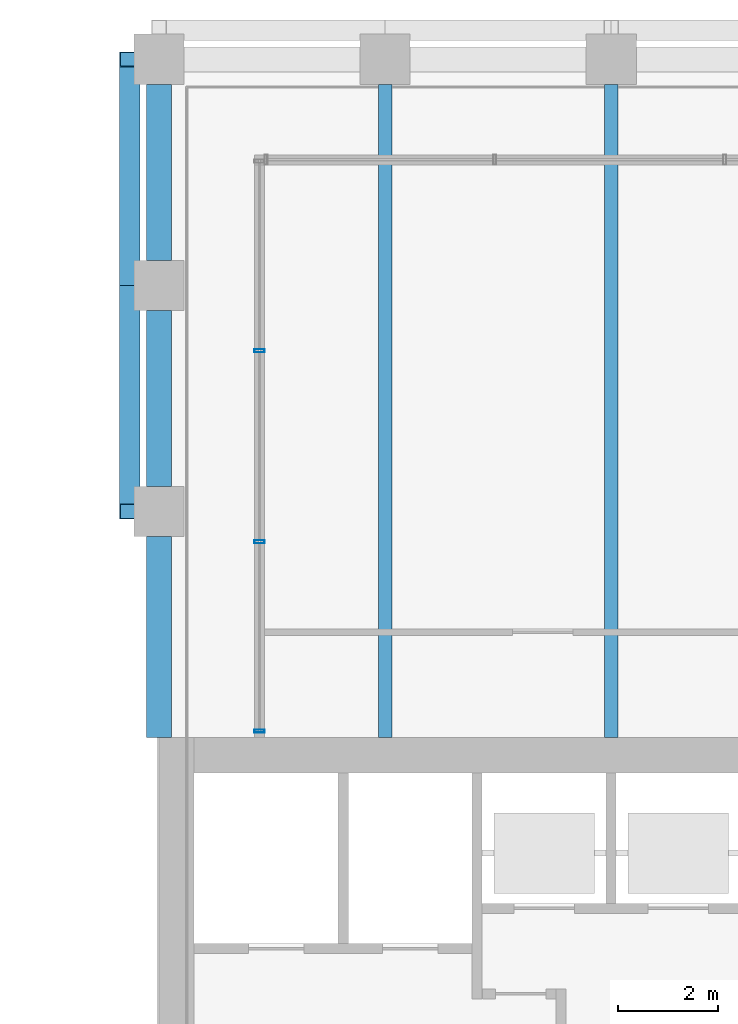
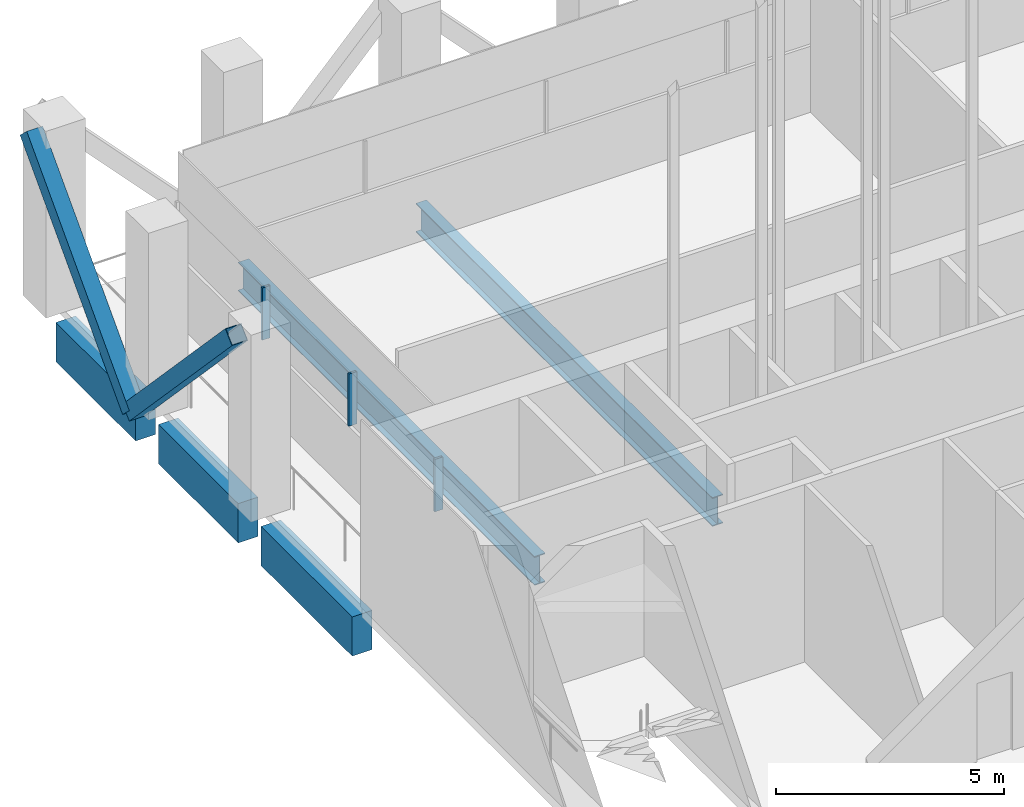
# One storey, part 15 of 48: 5 beams, 5 members, 1 element without a shape of its own.
"""IFC4 building model written with IfcOpenShell, lengths in metres."""

from ifc_helpers import new_model, si_unit, direction, frame, origin, origin_2d, place, context, subcontext, project, spatial, rectangle, hollow_rectangle, i_section, extrude, material, material_profile, profile_set, type_object, element, aggregate, save


model = new_model("IFC4")

# Units and contexts
model_context = context("Model", 3, precision=1e-05, world=origin(), true_north=direction((0.0, 1.0)))
body_context = subcontext(model_context, "Body", "Model", "MODEL_VIEW")
ifc_project = project(units=[si_unit("LENGTHUNIT", "METRE"), si_unit("AREAUNIT", "SQUARE_METRE"), si_unit("VOLUMEUNIT", "CUBIC_METRE"), si_unit("PLANEANGLEUNIT", "RADIAN"), si_unit("MASSUNIT", "GRAM", prefix="KILO")], contexts=[model_context])

# Site, building, storey
site_placement = place(None, origin())
site = spatial("IfcSite", under=ifc_project, at=site_placement, CompositionType="ELEMENT")
building_placement = place(site_placement, origin())
building = spatial("IfcBuilding", under=site, at=building_placement, Name="Altepetl Exchange Towers", CompositionType="ELEMENT")
storey_placement = place(building_placement, frame((0.0, 0.0, 138.800048828125)))
storey = spatial("IfcBuildingStorey", under=building, at=storey_placement, Name="L34 Refuge and sky lobby", CompositionType="ELEMENT", Elevation=138.800048828125)

# Members
ifc_material_1 = material(Name="Steel S355", Category="steel")
ifc_material_profile_1 = material_profile(ifc_material_1, hollow_rectangle(XDim=0.406005859375, YDim=0.406005859375, WallThickness=0.014892578125, at=origin_2d()), Name="HSS406X406X15.9")
ifc_profile_set_1 = profile_set([ifc_material_profile_1], Name="Steel S355")
member_type_1 = type_object("IfcMemberType", Name="Belt diagonal HSS406X406X15.9", PredefinedType="BRACE", material=ifc_profile_set_1)
for number, where, z_axis, x_axis, name in (
    (1, (39.919921875, 72.0, 4.75), (0.0, -0.687744647911, -0.725952683906), (1.0, 0.0, 0.0), "brc:A:L34:019"),
    (2, (39.919921875, 67.5, 0.0), (0.0, -0.687744647911, 0.725952683906), (1.0, 0.0, 0.0), "brc:A:L34:020"),
):
    element("IfcMember", number, at=place(storey_placement, frame(where, z_axis=z_axis, x_axis=x_axis)), inside=storey, type_object=member_type_1, Name=name, PredefinedType="BRACE", context=body_context, shape_type="SweptSolid", body=[
        extrude(hollow_rectangle(XDim=0.406005859375, YDim=0.406005859375, WallThickness=0.014892578125, at=origin_2d()), origin(), (0.0, 0.0, 1.0), 6.543212890625),
    ])

# Beams
ifc_material_profile_2 = material_profile(ifc_material_1, i_section(OverallWidth=0.26806640625, OverallDepth=0.77392578125, WebThickness=0.015380859375, FlangeThickness=0.025390625, at=origin_2d()), Name="W30X132")
ifc_profile_set_2 = profile_set([ifc_material_profile_2], Name="Steel S355")
beam_type_1 = type_object("IfcBeamType", Name="Floor beam W30X132", PredefinedType="BEAM", material=ifc_profile_set_2)
for number, where, z_axis, x_axis, name in (
    (3, (45.0, 58.5, -0.587158203125), (0.0, 1.0, 0.0), (-1.0, 0.0, 0.0), "bm:A:L34:000"),
    (4, (49.5, 58.5, -0.587158203125), (0.0, 1.0, 0.0), (-1.0, 0.0, 0.0), "bm:A:L34:001"),
):
    element("IfcBeam", number, at=place(storey_placement, frame(where, z_axis=z_axis, x_axis=x_axis)), inside=storey, type_object=beam_type_1, Name=name, PredefinedType="BEAM", context=body_context, shape_type="SweptSolid", body=[
        extrude(i_section(OverallWidth=0.26806640625, OverallDepth=0.77392578125, WebThickness=0.015380859375, FlangeThickness=0.025390625, at=origin_2d()), origin(), (0.0, 0.0, 1.0), 13.0),
    ])

# Curtain wall, members
ifc_material_2 = material(Name="Aluminium 6063-T6 glazing", Category="aluminium")
curtain_wall_type = type_object("IfcCurtainWallType", Name="Refuge slit glazing system", PredefinedType="NOTDEFINED", material=ifc_material_2)
curtain_wall_placement = place(storey_placement, origin())
curtain_wall = element("IfcCurtainWall", 5, at=curtain_wall_placement, inside=storey, type_object=curtain_wall_type, Name="CW3 run", PredefinedType="NOTDEFINED")
ifc_material_3 = material(Name="Aluminium 6063-T6", Category="aluminium")
ifc_material_profile_3 = material_profile(ifc_material_3, hollow_rectangle(XDim=0.06005859375, YDim=0.199951171875, WallThickness=0.0029296875, at=origin_2d()), Name="Mullion 60x200 aluminium")
ifc_profile_set_3 = profile_set([ifc_material_profile_3], Name="Aluminium 6063-T6")
member_type_2 = type_object("IfcMemberType", Name="Mullion 60x200 aluminium", PredefinedType="MULLION", material=ifc_profile_set_3)
member_1_placement = place(storey_placement, frame((42.5, 66.199951171875, 1.800048828125), z_axis=(0.0, 0.0, 1.0), x_axis=(0.0, -1.0, 0.0)))
member_1 = element("IfcMember", 6, at=member_1_placement, type_object=member_type_2, Name="MU2 mullion", PredefinedType="MULLION", context=body_context, shape_type="SweptSolid", body=[
    extrude(hollow_rectangle(XDim=0.06005859375, YDim=0.199951171875, WallThickness=0.0029296875, at=origin_2d()), origin(), (0.0, 0.0, 1.0), 1.39990234375),
])
member_2_placement = place(storey_placement, frame((42.5, 62.39990234375, 1.800048828125), z_axis=(0.0, 0.0, 1.0), x_axis=(0.0, -1.0, 0.0)))
member_2 = element("IfcMember", 7, at=member_2_placement, type_object=member_type_2, Name="MU2 mullion", PredefinedType="MULLION", context=body_context, shape_type="SweptSolid", body=[
    extrude(hollow_rectangle(XDim=0.06005859375, YDim=0.199951171875, WallThickness=0.0029296875, at=origin_2d()), origin(), (0.0, 0.0, 1.0), 1.39990234375),
])
member_3_placement = place(storey_placement, frame((42.5, 58.6298828125, 1.800048828125), z_axis=(0.0, 0.0, 1.0), x_axis=(0.0, -1.0, 0.0)))
member_3 = element("IfcMember", 8, at=member_3_placement, type_object=member_type_2, Name="MU2 mullion", PredefinedType="MULLION", context=body_context, shape_type="SweptSolid", body=[
    extrude(hollow_rectangle(XDim=0.06005859375, YDim=0.199951171875, WallThickness=0.0029296875, at=origin_2d()), origin(), (0.0, 0.0, 1.0), 1.39990234375),
])
aggregate(curtain_wall, [member_1, member_2, member_3])

# Beams
ifc_material_4 = material(Name="Concrete C50/60 precast with tezontle facing", Category="concrete")
ifc_material_profile_4 = material_profile(ifc_material_4, rectangle(XDim=0.5, YDim=1.050048828125, at=origin_2d()), Name="500 x 1050")
ifc_profile_set_4 = profile_set([ifc_material_profile_4], Name="Concrete C50/60 precast with tezontle facing")
beam_type_2 = type_object("IfcBeamType", Name="Spandrel beam 500x1050 tezontle", PredefinedType="SPANDREL", material=ifc_profile_set_4)
for number, where, z_axis, x_axis, name in (
    (9, (40.5, 71.5, -0.72509765625), (0.0, -1.0, 0.0), (1.0, 0.0, 0.0), "sp:A:L34:030"),
    (10, (40.5, 67.0, -0.72509765625), (0.0, -1.0, 0.0), (1.0, 0.0, 0.0), "sp:A:L34:031"),
):
    element("IfcBeam", number, at=place(storey_placement, frame(where, z_axis=z_axis, x_axis=x_axis)), inside=storey, type_object=beam_type_2, Name=name, PredefinedType="SPANDREL", context=body_context, shape_type="SweptSolid", body=[
        extrude(rectangle(XDim=0.5, YDim=1.050048828125, at=origin_2d()), origin(), (0.0, 0.0, 1.0), 3.5),
    ])
beam_placement = place(storey_placement, frame((40.5, 62.5, -0.72509765625), z_axis=(0.0, -1.0, 0.0), x_axis=(1.0, 0.0, 0.0)))
element("IfcBeam", 11, at=beam_placement, inside=storey, type_object=beam_type_2, Name="sp:A:L34:032", PredefinedType="SPANDREL", context=body_context, shape_type="SweptSolid", body=[
    extrude(rectangle(XDim=0.5, YDim=1.050048828125, at=origin_2d()), origin(), (0.0, 0.0, 1.0), 4.0),
])

save(model, "model.ifc")
